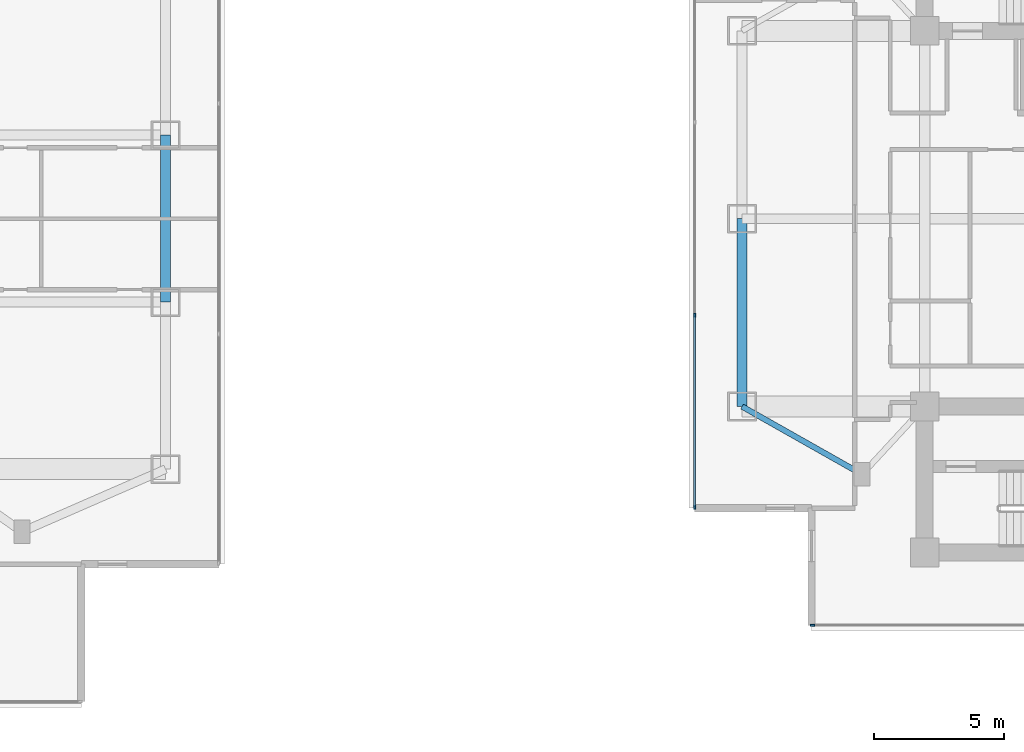
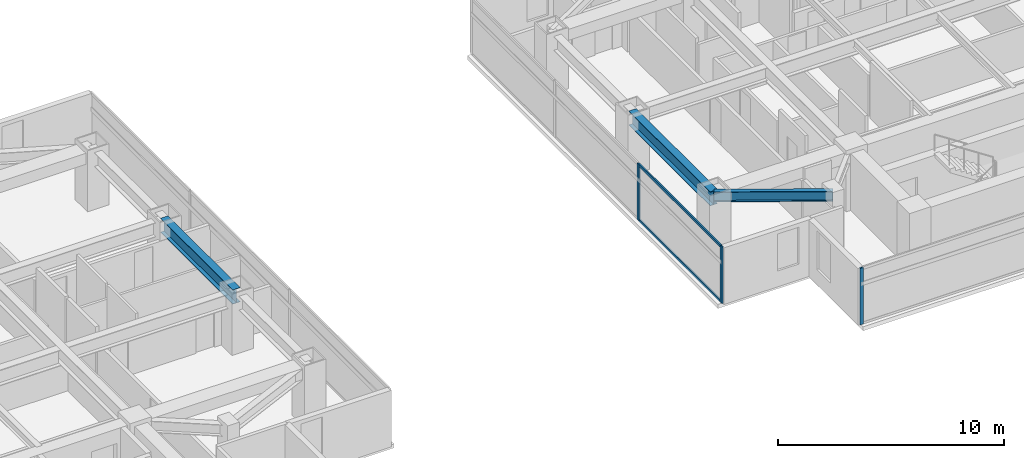
# One storey, part 5 of 27: 5 members, 3 beams, 2 elements without a shape of their own.
"""IFC4 building model written with IfcOpenShell, lengths in metres."""

from ifc_helpers import new_model, si_unit, direction, frame, origin, origin_2d, place, context, subcontext, project, spatial, rectangle, i_section, extrude, material, material_profile, profile_set, type_object, element, aggregate, save


model = new_model("IFC4")

# Units and contexts
model_context = context("Model", 3, precision=1e-05, world=origin(), true_north=direction((0.0, 1.0)))
body_context = subcontext(model_context, "Body", "Model", "MODEL_VIEW")
ifc_project = project(units=[si_unit("LENGTHUNIT", "METRE"), si_unit("AREAUNIT", "SQUARE_METRE"), si_unit("VOLUMEUNIT", "CUBIC_METRE"), si_unit("PLANEANGLEUNIT", "RADIAN"), si_unit("MASSUNIT", "GRAM", prefix="KILO")], contexts=[model_context])

# Site, building, storey
site_placement = place(None, origin())
site = spatial("IfcSite", under=ifc_project, at=site_placement, CompositionType="ELEMENT")
building_placement = place(site_placement, origin())
building = spatial("IfcBuilding", under=site, at=building_placement, Name="Mirazonda Arch Towers", CompositionType="ELEMENT")
storey_placement = place(building_placement, frame((0.0, 0.0, 124.699951171875)))
storey = spatial("IfcBuildingStorey", under=building, at=storey_placement, Name="L35", CompositionType="ELEMENT", Elevation=124.699951171875)

# Beams
ifc_material_1 = material(Name="Steel ASTM A992 Grade 50", Category="steel")
ifc_material_profile_1 = material_profile(ifc_material_1, i_section(OverallWidth=0.381103515625, OverallDepth=0.77294921875, WebThickness=0.0166015625, FlangeThickness=0.027099609375, at=origin_2d()), Name="W30X173")
ifc_profile_set_1 = profile_set([ifc_material_profile_1], Name="Steel ASTM A992 Grade 50")
beam_type_1 = type_object("IfcBeamType", Name="BM-EXT-W30X173", PredefinedType="USERDEFINED", material=ifc_profile_set_1)
beam_1_placement = place(storey_placement, frame((38.89990234375, 24.800048828125, 2.693603515625), z_axis=(0.0, 1.0, 0.0), x_axis=(-1.0, 0.0, 0.0)))
element("IfcBeam", 1, at=beam_1_placement, inside=storey, type_object=beam_type_1, Name="L35 Floor Beam BM-T1-L35-NS-E-24", ObjectType="GIRDER", PredefinedType="USERDEFINED", context=body_context, shape_type="SweptSolid", body=[
    extrude(i_section(OverallWidth=0.381103515625, OverallDepth=0.77294921875, WebThickness=0.0166015625, FlangeThickness=0.027099609375, at=origin_2d()), origin(), (0.0, 0.0, 1.0), 6.39990234375),
])
beam_2_placement = place(storey_placement, frame((61.0, 20.800048828125, 2.693603515625), z_axis=(0.0, 1.0, 0.0), x_axis=(-1.0, 0.0, 0.0)))
element("IfcBeam", 2, at=beam_2_placement, inside=storey, type_object=beam_type_1, Name="L35 Floor Beam BM-T2-L35-NS-W-20", ObjectType="GIRDER", PredefinedType="USERDEFINED", context=body_context, shape_type="SweptSolid", body=[
    extrude(i_section(OverallWidth=0.381103515625, OverallDepth=0.77294921875, WebThickness=0.0166015625, FlangeThickness=0.027099609375, at=origin_2d()), origin(), (0.0, 0.0, 1.0), 7.199951171875),
])
ifc_material_profile_2 = material_profile(ifc_material_1, i_section(OverallWidth=0.214111328125, OverallDepth=0.549072265625, WebThickness=0.0146484375, FlangeThickness=0.023681640625, at=origin_2d()), Name="W21X93")
ifc_profile_set_2 = profile_set([ifc_material_profile_2], Name="Steel ASTM A992 Grade 50")
beam_type_2 = type_object("IfcBeamType", Name="BM-INT-W21X93", PredefinedType="BEAM", material=ifc_profile_set_2)
beam_3_placement = place(storey_placement, frame((65.60009765625, 18.199951171875, 2.8056640625), z_axis=(-0.870559396632, 0.492063346467, 0.0), x_axis=(-0.492063346467, -0.870559396632, 0.0)))
element("IfcBeam", 3, at=beam_3_placement, inside=storey, type_object=beam_type_2, Name="L35 Floor Beam BM-T2-L35-PL-SW2", PredefinedType="BEAM", context=body_context, shape_type="SweptSolid", body=[
    extrude(i_section(OverallWidth=0.214111328125, OverallDepth=0.549072265625, WebThickness=0.0146484375, FlangeThickness=0.023681640625, at=origin_2d()), origin(), (0.0, 0.0, 1.0), 5.2841796875),
])

# Curtain wall, member
ifc_material_2 = material(Name="Anodised Aluminium and Low-E Glass", Category="aluminium")
curtain_wall_type = type_object("IfcCurtainWallType", Name="CW-HTL-UNIT", PredefinedType="NOTDEFINED", material=ifc_material_2)
curtain_wall_1_placement = place(storey_placement, origin())
curtain_wall_1 = element("IfcCurtainWall", 4, at=curtain_wall_1_placement, inside=storey, type_object=curtain_wall_type, Name="L35 T2 S Facade CW-L35-T2-S", PredefinedType="NOTDEFINED")
ifc_material_3 = material(Name="Anodised Aluminium Alloy", Category="aluminium")
ifc_material_profile_3 = material_profile(ifc_material_3, rectangle(XDim=0.074951171875, YDim=0.1650390625, at=origin_2d()), Name="ALU-MULL-75x165")
ifc_profile_set_3 = profile_set([ifc_material_profile_3], Name="Anodised Aluminium Alloy")
member_type_1 = type_object("IfcMemberType", Name="MULL-CW-HTL-UNIT", PredefinedType="MULLION", material=ifc_profile_set_3)
member_1_placement = place(storey_placement, frame((63.702880859375, 12.414306640625, 0.0), z_axis=(0.0, 0.0, 1.0), x_axis=(0.0, -1.0, 0.0)))
member_1 = element("IfcMember", 5, at=member_1_placement, type_object=member_type_1, Name="CW-112 mullion 4", PredefinedType="MULLION", context=body_context, shape_type="SweptSolid", body=[
    extrude(rectangle(XDim=0.074951171875, YDim=0.1650390625, at=origin_2d()), origin(), (0.0, 0.0, 1.0), 3.06005859375),
])
aggregate(curtain_wall_1, [member_1])

# Curtain wall, members
curtain_wall_2_placement = place(storey_placement, origin())
curtain_wall_2 = element("IfcCurtainWall", 6, at=curtain_wall_2_placement, inside=storey, type_object=curtain_wall_type, Name="L35 T2 W Facade CW-L35-T2-W", PredefinedType="NOTDEFINED")
member_2_placement = place(storey_placement, frame((59.178955078125, 24.30029296875, 0.0), z_axis=(0.0, 0.0, 1.0), x_axis=(1.0, 0.0, 0.0)))
member_2 = element("IfcMember", 7, at=member_2_placement, type_object=member_type_1, Name="CW-112 mullion 3", PredefinedType="MULLION", context=body_context, shape_type="SweptSolid", body=[
    extrude(rectangle(XDim=0.074951171875, YDim=0.1650390625, at=origin_2d()), origin(), (0.0, 0.0, 1.0), 3.06005859375),
])
member_3_placement = place(storey_placement, frame((59.178955078125, 16.9384765625, 0.0), z_axis=(0.0, 0.0, 1.0), x_axis=(1.0, 0.0, 0.0)))
member_3 = element("IfcMember", 8, at=member_3_placement, type_object=member_type_1, Name="CW-112 mullion 4", PredefinedType="MULLION", context=body_context, shape_type="SweptSolid", body=[
    extrude(rectangle(XDim=0.074951171875, YDim=0.1650390625, at=origin_2d()), origin(), (0.0, 0.0, 1.0), 3.06005859375),
])
ifc_material_profile_4 = material_profile(ifc_material_3, rectangle(XDim=0.074951171875, YDim=0.14501953125, at=origin_2d()), Name="ALU-TRAN-75x145")
ifc_profile_set_4 = profile_set([ifc_material_profile_4], Name="Anodised Aluminium Alloy")
member_type_2 = type_object("IfcMemberType", Name="TRAN-CW-HTL-UNIT", PredefinedType="USERDEFINED", material=ifc_profile_set_4)
member_4_placement = place(storey_placement, frame((59.178955078125, 24.2626953125, 0.03759765625), z_axis=(0.0, -1.0, 0.0), x_axis=(1.0, 0.0, 0.0)))
member_4 = element("IfcMember", 9, at=member_4_placement, type_object=member_type_2, Name="CW-112 transom 3.1", ObjectType="TRANSOM", PredefinedType="USERDEFINED", context=body_context, shape_type="SweptSolid", body=[
    extrude(rectangle(XDim=0.074951171875, YDim=0.14501953125, at=origin_2d()), origin(), (0.0, 0.0, 1.0), 7.286865234375),
])
member_5_placement = place(storey_placement, frame((59.178955078125, 24.2626953125, 3.0224609375), z_axis=(0.0, -1.0, 0.0), x_axis=(1.0, 0.0, 0.0)))
member_5 = element("IfcMember", 10, at=member_5_placement, type_object=member_type_2, Name="CW-112 transom 3.2", ObjectType="TRANSOM", PredefinedType="USERDEFINED", context=body_context, shape_type="SweptSolid", body=[
    extrude(rectangle(XDim=0.074951171875, YDim=0.14501953125, at=origin_2d()), origin(), (0.0, 0.0, 1.0), 7.286865234375),
])
aggregate(curtain_wall_2, [member_2, member_3, member_4, member_5])

save(model, "model.ifc")
